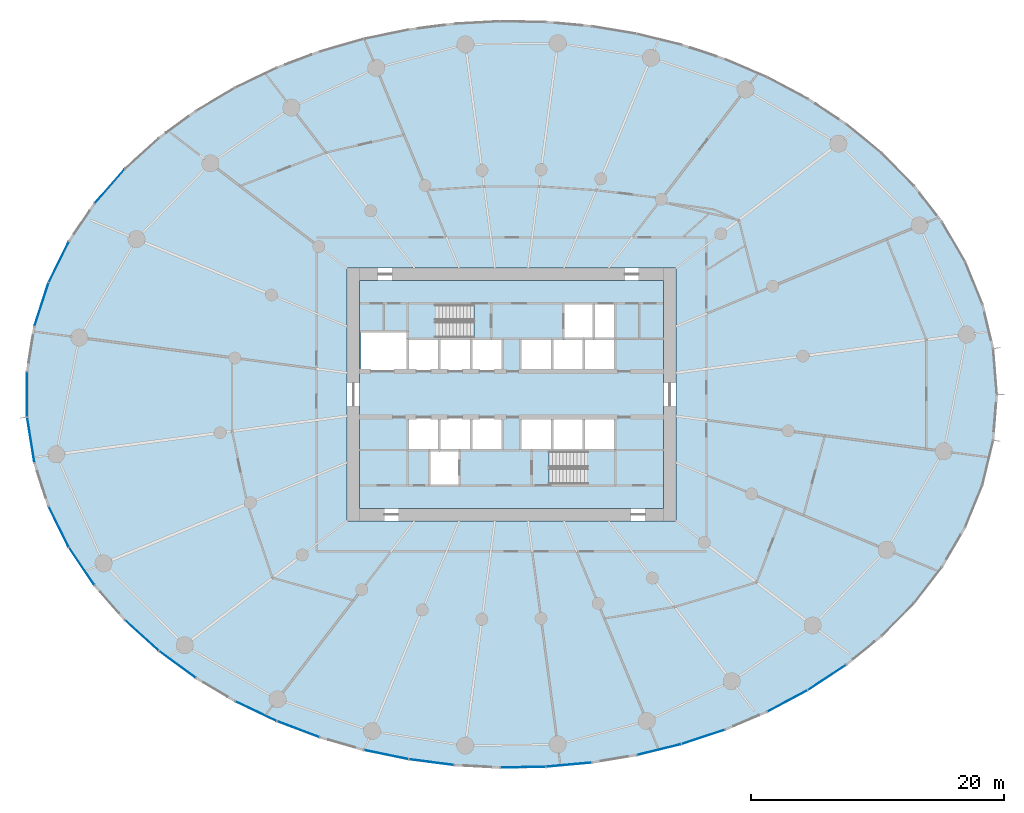
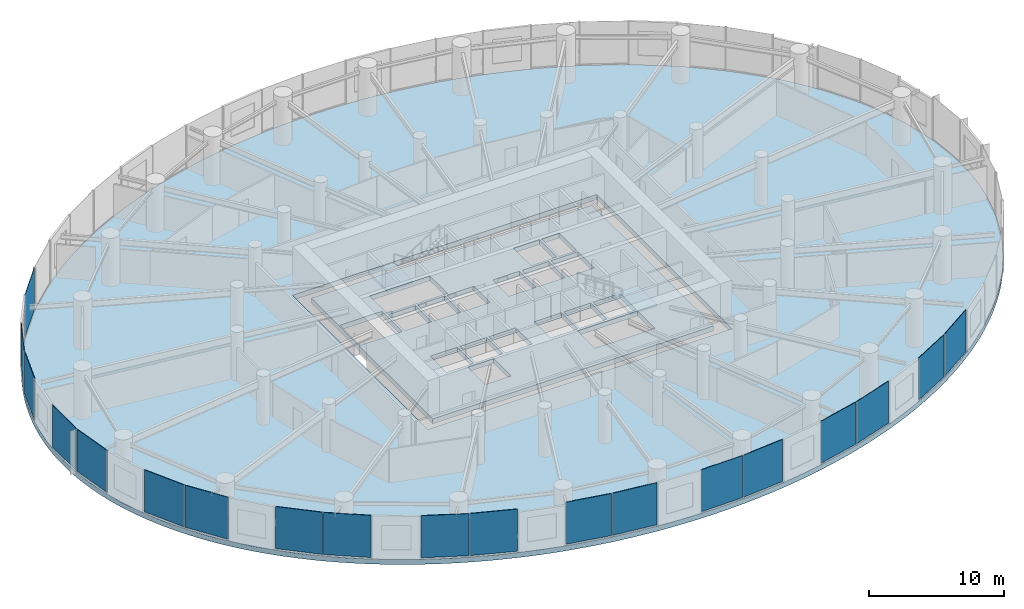
# One storey, part 9 of 19: 19 plates, 4 slabs, 7 elements without a shape of their own.
"""IFC4 building model written with IfcOpenShell, lengths in metres."""

from ifc_helpers import new_model, si_unit, direction, frame, origin, origin_2d, place, context, subcontext, project, spatial, line, indexed_curve, rectangle, outline, extrude, source, transform, mapped, material, layer, layer_set, type_object, element, aggregate, save


model = new_model("IFC4")

# Units and contexts
model_context = context("Model", 3, precision=1e-05, world=origin(), true_north=direction((0.0, 1.0)))
body_context = subcontext(model_context, "Body", "Model", "MODEL_VIEW")
ifc_project = project(units=[si_unit("LENGTHUNIT", "METRE"), si_unit("AREAUNIT", "SQUARE_METRE"), si_unit("VOLUMEUNIT", "CUBIC_METRE"), si_unit("PLANEANGLEUNIT", "RADIAN"), si_unit("MASSUNIT", "GRAM", prefix="KILO")], contexts=[model_context])

# Site, building, storey
site_placement = place(None, origin())
site = spatial("IfcSite", under=ifc_project, at=site_placement, CompositionType="ELEMENT")
building_placement = place(site_placement, origin())
building = spatial("IfcBuilding", under=site, at=building_placement, Name="Spindrift Exchange Tower", CompositionType="ELEMENT")
storey_placement = place(building_placement, frame((0.0, 0.0, 22.60009765625)))
storey = spatial("IfcBuildingStorey", under=building, at=storey_placement, Name="L05", CompositionType="ELEMENT", Elevation=22.60009765625)

# Slabs
ifc_material_1 = material(Name="Concrete 50 MPa", Category="concrete")
ifc_layer_1 = layer(ifc_material_1, 0.449951171875)
ifc_layer_set_1 = layer_set([ifc_layer_1], Name="RC Floor Slab 450 Concrete 50 MPa")
slab_type_1 = type_object("IfcSlabType", Name="RC Floor Slab 450 Concrete 50 MPa", PredefinedType="FLOOR", material=ifc_layer_set_1)
slab_1_placement = place(storey_placement, frame((0.0, 0.0, -0.4501953125)))
element("IfcSlab", 1, at=slab_1_placement, inside=storey, type_object=slab_type_1, Name="Floor slab L05", PredefinedType="FLOOR", context=body_context, shape_type="SweptSolid", body=[
    extrude(outline(indexed_curve([(90.35009765625, 48.0), (90.34228515625, 48.594482421875), (90.31884765625, 49.188720703125), (90.280029296875, 49.781982421875), (90.2255859375, 50.374267578125), (90.15576171875, 50.964599609375), (90.07080078125, 51.55322265625), (89.970703125, 52.139404296875), (89.85546875, 52.72265625), (89.725341796875, 53.302734375), (89.58056640625, 53.87939453125), (89.42138671875, 54.452392578125), (89.248046875, 55.021240234375), (89.060546875, 55.58544921875), (88.859375, 56.14501953125), (88.64453125, 56.699462890625), (88.41650390625, 57.24853515625), (88.175537109375, 57.792236328125), (87.921875, 58.330078125), (87.65576171875, 58.86181640625), (87.377685546875, 59.38720703125), (87.087646484375, 59.906494140625), (86.7861328125, 60.4189453125), (86.473388671875, 60.924560546875), (86.149658203125, 61.42333984375), (85.8154296875, 61.915283203125), (85.470703125, 62.399658203125), (85.1162109375, 62.876953125), (84.751708984375, 63.346923828125), (84.3779296875, 63.809326171875), (83.9951171875, 64.26416015625), (83.60302734375, 64.71142578125), (83.20263671875, 65.15087890625), (82.793701171875, 65.582763671875), (82.376953125, 66.006591796875), (81.9521484375, 66.4228515625), (81.52001953125, 66.8310546875), (81.080322265625, 67.231689453125), (80.6337890625, 67.6240234375), (80.180419921875, 68.0087890625), (79.72021484375, 68.385498046875), (79.25390625, 68.75439453125), (78.78125, 69.115234375), (77.818603515625, 69.813232421875), (77.32861328125, 70.150390625), (76.333251953125, 70.801025390625), (75.318115234375, 71.42041015625), (74.803466796875, 71.71826171875), (74.284423828125, 72.00830078125), (73.23388671875, 72.5654296875), (72.702392578125, 72.83251953125), (71.62841796875, 73.343017578125), (71.086181640625, 73.587158203125), (69.99169921875, 74.052001953125), (68.884765625, 74.48681640625), (68.3271484375, 74.693115234375), (67.20361328125, 75.082763671875), (66.637939453125, 75.2666015625), (65.5, 75.61181640625), (64.927734375, 75.773193359375), (64.353515625, 75.927490234375), (63.19921875, 76.214111328125), (62.038330078125, 76.471435546875), (61.45556640625, 76.58935546875), (60.28564453125, 76.80322265625), (59.698974609375, 76.8994140625), (58.52197265625, 77.0703125), (57.93212890625, 77.14501953125), (56.749755859375, 77.27294921875), (56.157470703125, 77.326171875), (55.564697265625, 77.372314453125), (54.377685546875, 77.443359375), (53.189208984375, 77.48583984375), (52.0, 77.5), (50.810791015625, 77.48583984375), (49.622314453125, 77.443359375), (48.435302734375, 77.372314453125), (47.842529296875, 77.326171875), (47.250244140625, 77.27294921875), (46.06787109375, 77.14501953125), (45.47802734375, 77.0703125), (44.301025390625, 76.8994140625), (43.71435546875, 76.80322265625), (42.54443359375, 76.58935546875), (41.961669921875, 76.471435546875), (40.80078125, 76.214111328125), (39.646484375, 75.927490234375), (39.072265625, 75.773193359375), (38.5, 75.61181640625), (37.362060546875, 75.2666015625), (36.79638671875, 75.082763671875), (35.6728515625, 74.693115234375), (35.115234375, 74.48681640625), (34.00830078125, 74.052001953125), (32.913818359375, 73.587158203125), (32.37158203125, 73.343017578125), (31.297607421875, 72.83251953125), (30.76611328125, 72.5654296875), (29.715576171875, 72.00830078125), (29.196533203125, 71.71826171875), (28.681884765625, 71.42041015625), (27.666748046875, 70.801025390625), (26.67138671875, 70.150390625), (26.181396484375, 69.813232421875), (25.21875, 69.115234375), (24.74609375, 68.75439453125), (24.27978515625, 68.385498046875), (23.819580078125, 68.0087890625), (23.3662109375, 67.6240234375), (22.919677734375, 67.231689453125), (22.47998046875, 66.8310546875), (22.0478515625, 66.4228515625), (21.623046875, 66.006591796875), (21.206298828125, 65.582763671875), (20.79736328125, 65.15087890625), (20.39697265625, 64.71142578125), (20.0048828125, 64.26416015625), (19.6220703125, 63.809326171875), (19.248291015625, 63.346923828125), (18.8837890625, 62.876953125), (18.529296875, 62.399658203125), (18.1845703125, 61.915283203125), (17.850341796875, 61.42333984375), (17.526611328125, 60.924560546875), (17.2138671875, 60.4189453125), (16.912353515625, 59.906494140625), (16.622314453125, 59.38720703125), (16.34423828125, 58.86181640625), (16.078125, 58.330078125), (15.824462890625, 57.792236328125), (15.58349609375, 57.24853515625), (15.35546875, 56.699462890625), (15.140625, 56.14501953125), (14.939453125, 55.58544921875), (14.751953125, 55.021240234375), (14.57861328125, 54.452392578125), (14.41943359375, 53.87939453125), (14.274658203125, 53.302734375), (14.14453125, 52.72265625), (14.029296875, 52.139404296875), (13.92919921875, 51.55322265625), (13.84423828125, 50.964599609375), (13.7744140625, 50.374267578125), (13.719970703125, 49.781982421875), (13.68115234375, 49.188720703125), (13.65771484375, 48.594482421875), (13.64990234375, 48.0), (13.65771484375, 47.405517578125), (13.68115234375, 46.811279296875), (13.719970703125, 46.218017578125), (13.7744140625, 45.625732421875), (13.84423828125, 45.035400390625), (13.92919921875, 44.44677734375), (14.029296875, 43.860595703125), (14.14453125, 43.27734375), (14.274658203125, 42.697265625), (14.41943359375, 42.12060546875), (14.57861328125, 41.547607421875), (14.751953125, 40.978759765625), (14.939453125, 40.41455078125), (15.140625, 39.85498046875), (15.35546875, 39.300537109375), (15.58349609375, 38.75146484375), (15.824462890625, 38.207763671875), (16.078125, 37.669921875), (16.34423828125, 37.13818359375), (16.622314453125, 36.61279296875), (16.912353515625, 36.093505859375), (17.2138671875, 35.5810546875), (17.526611328125, 35.075439453125), (17.850341796875, 34.57666015625), (18.1845703125, 34.084716796875), (18.529296875, 33.600341796875), (18.8837890625, 33.123046875), (19.248291015625, 32.653076171875), (19.6220703125, 32.190673828125), (20.0048828125, 31.73583984375), (20.39697265625, 31.28857421875), (20.79736328125, 30.84912109375), (21.206298828125, 30.417236328125), (21.623046875, 29.993408203125), (22.0478515625, 29.5771484375), (22.47998046875, 29.1689453125), (22.919677734375, 28.768310546875), (23.3662109375, 28.3759765625), (23.819580078125, 27.9912109375), (24.27978515625, 27.614501953125), (24.74609375, 27.24560546875), (25.21875, 26.884765625), (26.181396484375, 26.186767578125), (26.67138671875, 25.849609375), (27.666748046875, 25.198974609375), (28.681884765625, 24.57958984375), (29.196533203125, 24.28173828125), (29.715576171875, 23.99169921875), (30.76611328125, 23.4345703125), (31.297607421875, 23.16748046875), (32.37158203125, 22.656982421875), (32.913818359375, 22.412841796875), (34.00830078125, 21.947998046875), (35.115234375, 21.51318359375), (35.6728515625, 21.306884765625), (36.79638671875, 20.917236328125), (37.362060546875, 20.7333984375), (38.5, 20.38818359375), (39.072265625, 20.226806640625), (39.646484375, 20.072509765625), (40.80078125, 19.785888671875), (41.961669921875, 19.528564453125), (42.54443359375, 19.41064453125), (43.71435546875, 19.19677734375), (44.301025390625, 19.1005859375), (45.47802734375, 18.9296875), (46.06787109375, 18.85498046875), (47.250244140625, 18.72705078125), (47.842529296875, 18.673828125), (48.435302734375, 18.627685546875), (49.622314453125, 18.556640625), (50.810791015625, 18.51416015625), (52.0, 18.5), (53.189208984375, 18.51416015625), (54.377685546875, 18.556640625), (55.564697265625, 18.627685546875), (56.157470703125, 18.673828125), (56.749755859375, 18.72705078125), (57.93212890625, 18.85498046875), (58.52197265625, 18.9296875), (59.698974609375, 19.1005859375), (60.28564453125, 19.19677734375), (61.45556640625, 19.41064453125), (62.038330078125, 19.528564453125), (63.19921875, 19.785888671875), (64.353515625, 20.072509765625), (64.927734375, 20.226806640625), (65.5, 20.38818359375), (66.637939453125, 20.7333984375), (67.20361328125, 20.917236328125), (68.3271484375, 21.306884765625), (68.884765625, 21.51318359375), (69.99169921875, 21.947998046875), (71.086181640625, 22.412841796875), (71.62841796875, 22.656982421875), (72.702392578125, 23.16748046875), (73.23388671875, 23.4345703125), (74.284423828125, 23.99169921875), (74.803466796875, 24.28173828125), (75.318115234375, 24.57958984375), (76.333251953125, 25.198974609375), (77.32861328125, 25.849609375), (77.818603515625, 26.186767578125), (78.78125, 26.884765625), (79.25390625, 27.24560546875), (79.72021484375, 27.614501953125), (80.180419921875, 27.9912109375), (80.6337890625, 28.3759765625), (81.080322265625, 28.768310546875), (81.52001953125, 29.1689453125), (81.9521484375, 29.5771484375), (82.376953125, 29.993408203125), (82.793701171875, 30.417236328125), (83.20263671875, 30.84912109375), (83.60302734375, 31.28857421875), (83.9951171875, 31.73583984375), (84.3779296875, 32.190673828125), (84.751708984375, 32.653076171875), (85.1162109375, 33.123046875), (85.470703125, 33.600341796875), (85.8154296875, 34.084716796875), (86.149658203125, 34.57666015625), (86.473388671875, 35.075439453125), (86.7861328125, 35.5810546875), (87.087646484375, 36.093505859375), (87.377685546875, 36.61279296875), (87.65576171875, 37.13818359375), (87.921875, 37.669921875), (88.175537109375, 38.207763671875), (88.41650390625, 38.75146484375), (88.64453125, 39.300537109375), (88.859375, 39.85498046875), (89.060546875, 40.41455078125), (89.248046875, 40.978759765625), (89.42138671875, 41.547607421875), (89.58056640625, 42.12060546875), (89.725341796875, 42.697265625), (89.85546875, 43.27734375), (89.970703125, 43.860595703125), (90.07080078125, 44.44677734375), (90.15576171875, 45.035400390625), (90.2255859375, 45.625732421875), (90.280029296875, 46.218017578125), (90.31884765625, 46.811279296875), (90.34228515625, 47.405517578125)], segments=[line(1, 2, 3, 4, 5, 6, 7, 8, 9, 10, 11, 12, 13, 14, 15, 16, 17, 18, 19, 20, 21, 22, 23, 24, 25, 26, 27, 28, 29, 30, 31, 32, 33, 34, 35, 36, 37, 38, 39, 40, 41, 42, 43, 44, 45, 46, 47, 48, 49, 50, 51, 52, 53, 54, 55, 56, 57, 58, 59, 60, 61, 62, 63, 64, 65, 66, 67, 68, 69, 70, 71, 72, 73, 74, 75, 76, 77, 78, 79, 80, 81, 82, 83, 84, 85, 86, 87, 88, 89, 90, 91, 92, 93, 94, 95, 96, 97, 98, 99, 100, 101, 102, 103, 104, 105, 106, 107, 108, 109, 110, 111, 112, 113, 114, 115, 116, 117, 118, 119, 120, 121, 122, 123, 124, 125, 126, 127, 128, 129, 130, 131, 132, 133, 134, 135, 136, 137, 138, 139, 140, 141, 142, 143, 144, 145, 146, 147, 148, 149, 150, 151, 152, 153, 154, 155, 156, 157, 158, 159, 160, 161, 162, 163, 164, 165, 166, 167, 168, 169, 170, 171, 172, 173, 174, 175, 176, 177, 178, 179, 180, 181, 182, 183, 184, 185, 186, 187, 188, 189, 190, 191, 192, 193, 194, 195, 196, 197, 198, 199, 200, 201, 202, 203, 204, 205, 206, 207, 208, 209, 210, 211, 212, 213, 214, 215, 216, 217, 218, 219, 220, 221, 222, 223, 224, 225, 226, 227, 228, 229, 230, 231, 232, 233, 234, 235, 236, 237, 238, 239, 240, 241, 242, 243, 244, 245, 246, 247, 248, 249, 250, 251, 252, 253, 254, 255, 256, 257, 258, 259, 260, 261, 262, 263, 264, 265, 266, 267, 268, 269, 270, 271, 272, 273, 274, 275, 276, 277, 278, 279, 280, 281, 282, 283, 284, 285, 286, 287, 288, 289, 290, 291, 292, 1)], self_intersect=False), holes=[indexed_curve([(39.0, 38.0), (65.0, 38.0), (65.0, 58.0), (39.0, 58.0)], segments=[line(1, 2, 3, 4, 1)], self_intersect=False)]), origin(), (0.0, 0.0, 1.0), 0.4501953125),
])
ifc_layer_2 = layer(ifc_material_1, 0.449951171875)
ifc_layer_set_2 = layer_set([ifc_layer_2], Name="SL-CORE-FLOOR-450")
slab_type_2 = type_object("IfcSlabType", Name="SL-CORE-FLOOR-450", PredefinedType="FLOOR", material=ifc_layer_set_2)
slab_2_placement = place(storey_placement, frame((0.0, 0.0, -0.4501953125)))
element("IfcSlab", 2, at=slab_2_placement, inside=storey, type_object=slab_type_2, Name="L05 Core floor slab", PredefinedType="FLOOR", context=body_context, shape_type="SweptSolid", body=[
    extrude(outline(indexed_curve([(40.0, 39.0), (40.0, 57.0), (64.0, 57.0), (64.0, 39.0)], segments=[line(1, 2, 3, 4, 1)], self_intersect=False), holes=[indexed_curve([(47.800048828125, 43.5), (45.60009765625, 43.5), (45.60009765625, 40.89990234375), (47.800048828125, 40.89990234375)], segments=[line(1, 2, 3, 4, 1)], self_intersect=False), indexed_curve([(46.199951171875, 46.10009765625), (43.89990234375, 46.10009765625), (43.89990234375, 43.699951171875), (46.199951171875, 43.699951171875)], segments=[line(1, 2, 3, 4, 1)], self_intersect=False), indexed_curve([(48.699951171875, 46.10009765625), (46.39990234375, 46.10009765625), (46.39990234375, 43.699951171875), (48.699951171875, 43.699951171875)], segments=[line(1, 2, 3, 4, 1)], self_intersect=False), indexed_curve([(51.199951171875, 46.10009765625), (48.89990234375, 46.10009765625), (48.89990234375, 43.699951171875), (51.199951171875, 43.699951171875)], segments=[line(1, 2, 3, 4, 1)], self_intersect=False), indexed_curve([(46.199951171875, 52.300048828125), (43.89990234375, 52.300048828125), (43.89990234375, 49.89990234375), (46.199951171875, 49.89990234375)], segments=[line(1, 2, 3, 4, 1)], self_intersect=False), indexed_curve([(48.699951171875, 52.300048828125), (46.39990234375, 52.300048828125), (46.39990234375, 49.89990234375), (48.699951171875, 49.89990234375)], segments=[line(1, 2, 3, 4, 1)], self_intersect=False), indexed_curve([(51.199951171875, 52.300048828125), (48.89990234375, 52.300048828125), (48.89990234375, 49.89990234375), (51.199951171875, 49.89990234375)], segments=[line(1, 2, 3, 4, 1)], self_intersect=False), indexed_curve([(43.699951171875, 49.89990234375), (43.699951171875, 52.89990234375), (40.10009765625, 52.89990234375), (40.10009765625, 49.89990234375)], segments=[line(1, 2, 3, 4, 1)], self_intersect=False), indexed_curve([(49.0439453125, 55.093994140625), (43.906005859375, 55.093994140625), (43.906005859375, 52.506103515625), (49.0439453125, 52.506103515625)], segments=[line(1, 2, 3, 4, 1)], self_intersect=False), indexed_curve([(60.093994140625, 40.906005859375), (60.093994140625, 43.493896484375), (54.9560546875, 43.493896484375), (54.9560546875, 40.906005859375)], segments=[line(1, 2, 3, 4, 1)], self_intersect=False), indexed_curve([(55.10009765625, 46.10009765625), (52.800048828125, 46.10009765625), (52.800048828125, 43.699951171875), (55.10009765625, 43.699951171875)], segments=[line(1, 2, 3, 4, 1)], self_intersect=False), indexed_curve([(57.60009765625, 46.10009765625), (55.300048828125, 46.10009765625), (55.300048828125, 43.699951171875), (57.60009765625, 43.699951171875)], segments=[line(1, 2, 3, 4, 1)], self_intersect=False), indexed_curve([(60.10009765625, 46.10009765625), (57.800048828125, 46.10009765625), (57.800048828125, 43.699951171875), (60.10009765625, 43.699951171875)], segments=[line(1, 2, 3, 4, 1)], self_intersect=False), indexed_curve([(55.10009765625, 52.300048828125), (52.800048828125, 52.300048828125), (52.800048828125, 49.89990234375), (55.10009765625, 49.89990234375)], segments=[line(1, 2, 3, 4, 1)], self_intersect=False), indexed_curve([(57.60009765625, 52.300048828125), (55.300048828125, 52.300048828125), (55.300048828125, 49.89990234375), (57.60009765625, 49.89990234375)], segments=[line(1, 2, 3, 4, 1)], self_intersect=False), indexed_curve([(60.10009765625, 52.300048828125), (57.800048828125, 52.300048828125), (57.800048828125, 49.89990234375), (60.10009765625, 49.89990234375)], segments=[line(1, 2, 3, 4, 1)], self_intersect=False), indexed_curve([(58.39990234375, 52.5), (58.39990234375, 55.10009765625), (56.199951171875, 55.10009765625), (56.199951171875, 52.5)], segments=[line(1, 2, 3, 4, 1)], self_intersect=False), indexed_curve([(60.10009765625, 52.5), (60.10009765625, 55.10009765625), (58.60009765625, 55.10009765625), (58.60009765625, 52.5)], segments=[line(1, 2, 3, 4, 1)], self_intersect=False)]), origin(), (0.0, 0.0, 1.0), 0.4501953125),
])

# Stair, slab
stair_type = type_object("IfcStairType", Name="ST-1250-R183", PredefinedType="HALF_TURN_STAIR", material=ifc_material_1)
stair_1_placement = place(storey_placement, origin())
stair_1 = element("IfcStair", 3, at=stair_1_placement, inside=storey, type_object=stair_type, Name="L05 Exit stair ST1", PredefinedType="HALF_TURN_STAIR")
ifc_layer_3 = layer(ifc_material_1, 0.199951171875)
ifc_layer_set_3 = layer_set([ifc_layer_3], Name="SL-LANDING")
slab_type_3 = type_object("IfcSlabType", Name="SL-LANDING", PredefinedType="LANDING", material=ifc_layer_set_3)
slab_3_placement = place(storey_placement, frame((0.0, 0.0, 2.0)))
slab_3 = element("IfcSlab", 4, at=slab_3_placement, type_object=slab_type_3, Name="ST1 landing 1", PredefinedType="LANDING", context=body_context, shape_type="SweptSolid", body=[
    extrude(outline(indexed_curve([(46.050048828125, 52.39990234375), (43.800048828125, 52.39990234375), (43.800048828125, 55.199951171875), (46.050048828125, 55.199951171875)], segments=[line(1, 2, 3, 4, 1)], self_intersect=False)), origin(), (0.0, 0.0, 1.0), 0.199951171875),
])
aggregate(stair_1, [slab_3])

stair_2_placement = place(storey_placement, origin())
stair_2 = element("IfcStair", 5, at=stair_2_placement, inside=storey, type_object=stair_type, Name="L05 Exit stair ST2", PredefinedType="HALF_TURN_STAIR")
slab_4_placement = place(storey_placement, frame((0.0, 0.0, 2.0)))
slab_4 = element("IfcSlab", 6, at=slab_4_placement, type_object=slab_type_3, Name="ST2 landing 1", PredefinedType="LANDING", context=body_context, shape_type="SweptSolid", body=[
    extrude(outline(indexed_curve([(57.949951171875, 43.60009765625), (60.199951171875, 43.60009765625), (60.199951171875, 40.800048828125), (57.949951171875, 40.800048828125)], segments=[line(1, 2, 3, 4, 1)], self_intersect=False)), origin(), (0.0, 0.0, 1.0), 0.199951171875),
])
aggregate(stair_2, [slab_4])

# Curtain wall, plate
ifc_material_2 = material(Name="Fritted laminated glass with bronze frame", Category="glass")
ifc_layer_4 = layer(ifc_material_2, 0.199951171875)
ifc_layer_set_4 = layer_set([ifc_layer_4], Name="ZONE 1 BRONZE FRITTED WALL")
curtain_wall_type = type_object("IfcCurtainWallType", Name="ZONE 1 BRONZE FRITTED WALL", PredefinedType="NOTDEFINED", material=ifc_layer_set_4)
curtain_wall_1_placement = place(storey_placement, origin())
curtain_wall_1 = element("IfcCurtainWall", 7, at=curtain_wall_1_placement, inside=storey, type_object=curtain_wall_type, Name="L05 Zone 1 Bronze Fritted Wall run 5", PredefinedType="NOTDEFINED")
ifc_material_3 = material(Name="Bronze tinted laminated glass, light frit", Category="glass")
ifc_layer_5 = layer(ifc_material_3, 0.035888671875)
ifc_layer_set_5 = layer_set([ifc_layer_5], Name="ZONE 1 BRONZE FRITTED WALL PANEL LIGHT FRIT 720")
plate_type_1 = type_object("IfcPlateType", Name="ZONE 1 BRONZE FRITTED WALL PANEL LIGHT FRIT 720", PredefinedType="CURTAIN_PANEL", material=ifc_layer_set_5)
shared_shape_1 = source(origin(), body_context, "Body", "SweptSolid", [
    extrude(rectangle(XDim=3.544921875, YDim=0.035888671875, at=origin_2d()), origin(), (0.0, 0.0, 1.0), 3.800048828125),
])
plate_1_placement = place(storey_placement, frame((14.85400390625, 55.115234375, 0.14990234375), z_axis=(0.0, 0.0, 1.0), x_axis=(-0.307989331953, -0.951389810437, 0.0)))
plate_1 = element("IfcPlate", 8, at=plate_1_placement, type_object=plate_type_1, Name="L05 panel CW-1.28", PredefinedType="CURTAIN_PANEL", context=body_context, shape_type="MappedRepresentation", body=[
    mapped(shared_shape_1, transform((0.0, 0.0, 0.0), scale=1.0)),
])

# Curtain wall, plates
curtain_wall_2_placement = place(storey_placement, origin())
curtain_wall_2 = element("IfcCurtainWall", 9, at=curtain_wall_2_placement, inside=storey, type_object=curtain_wall_type, Name="L05 Zone 1 Bronze Fritted Wall run 8", PredefinedType="NOTDEFINED")
ifc_layer_6 = layer(ifc_material_3, 0.035888671875)
ifc_layer_set_6 = layer_set([ifc_layer_6], Name="ZONE 1 BRONZE FRITTED WALL PANEL LIGHT FRIT 960")
plate_type_2 = type_object("IfcPlateType", Name="ZONE 1 BRONZE FRITTED WALL PANEL LIGHT FRIT 960", PredefinedType="CURTAIN_PANEL", material=ifc_layer_set_6)
shared_shape_2 = source(origin(), body_context, "Body", "SweptSolid", [
    extrude(rectangle(XDim=3.54736328125, YDim=0.035888671875, at=origin_2d()), origin(), (0.0, 0.0, 1.0), 3.800048828125),
])
plate_2_placement = place(storey_placement, frame((52.906494140625, 18.541259765625, 0.14990234375), z_axis=(0.0, 0.0, 1.0), x_axis=(0.999834474509, 0.018194053526, 0.0)))
plate_2 = element("IfcPlate", 10, at=plate_2_placement, type_object=plate_type_2, Name="L05 panel CW-1.45", PredefinedType="CURTAIN_PANEL", context=body_context, shape_type="MappedRepresentation", body=[
    mapped(shared_shape_2, transform((0.0, 0.0, 0.0), scale=1.0)),
])
plate_3_placement = place(storey_placement, frame((56.52587890625, 18.739501953125, 0.14990234375), z_axis=(0.0, 0.0, 1.0), x_axis=(0.995838079649, 0.091140107088, 0.0)))
plate_3 = element("IfcPlate", 11, at=plate_3_placement, type_object=plate_type_2, Name="L05 panel CW-1.46", PredefinedType="CURTAIN_PANEL", context=body_context, shape_type="MappedRepresentation", body=[
    mapped(shared_shape_2, transform((0.0, 0.0, 0.0), scale=1.0)),
])

# Curtain wall, plate
curtain_wall_3_placement = place(storey_placement, origin())
curtain_wall_3 = element("IfcCurtainWall", 12, at=curtain_wall_3_placement, inside=storey, type_object=curtain_wall_type, Name="L05 Zone 1 Bronze Fritted Wall run 7", PredefinedType="NOTDEFINED")
ifc_layer_7 = layer(ifc_material_3, 0.035888671875)
ifc_layer_set_7 = layer_set([ifc_layer_7], Name="ZONE 1 BRONZE FRITTED WALL PANEL LIGHT FRIT 1200")
plate_type_3 = type_object("IfcPlateType", Name="ZONE 1 BRONZE FRITTED WALL PANEL LIGHT FRIT 1200", PredefinedType="CURTAIN_PANEL", material=ifc_layer_set_7)
shared_shape_3 = source(origin(), body_context, "Body", "SweptSolid", [
    extrude(rectangle(XDim=3.54736328125, YDim=0.035888671875, at=origin_2d()), origin(), (0.0, 0.0, 1.0), 3.800048828125),
])
plate_4_placement = place(storey_placement, frame((42.096923828125, 19.53564453125, 0.14990234375), z_axis=(0.0, 0.0, 1.0), x_axis=(0.979461386098, -0.20163182572, 0.0)))
plate_4 = element("IfcPlate", 13, at=plate_4_placement, type_object=plate_type_3, Name="L05 panel CW-1.42", PredefinedType="CURTAIN_PANEL", context=body_context, shape_type="MappedRepresentation", body=[
    mapped(shared_shape_3, transform((0.0, 0.0, 0.0), scale=1.0)),
])

# Plate
plate_5_placement = place(storey_placement, frame((63.671142578125, 19.935302734375, 0.14990234375), z_axis=(0.0, 0.0, 1.0), x_axis=(0.971034278054, 0.238940224416, 0.0)))
plate_5 = element("IfcPlate", 14, at=plate_5_placement, type_object=plate_type_3, Name="L05 panel CW-1.48", PredefinedType="CURTAIN_PANEL", context=body_context, shape_type="MappedRepresentation", body=[
    mapped(shared_shape_3, transform((0.0, 0.0, 0.0), scale=1.0)),
])

# Curtain wall, plate
curtain_wall_4_placement = place(storey_placement, origin())
curtain_wall_4 = element("IfcCurtainWall", 15, at=curtain_wall_4_placement, inside=storey, type_object=curtain_wall_type, Name="L05 Zone 1 Bronze Fritted Wall run 9", PredefinedType="NOTDEFINED")
shared_shape_4 = source(origin(), body_context, "Body", "SweptSolid", [
    extrude(rectangle(XDim=3.546875, YDim=0.035888671875, at=origin_2d()), origin(), (0.0, 0.0, 1.0), 3.800048828125),
])
plate_6_placement = place(storey_placement, frame((76.92724609375, 25.634521484375, 0.14990234375), z_axis=(0.0, 0.0, 1.0), x_axis=(0.834796938874, 0.550557963203, 0.0)))
plate_6 = element("IfcPlate", 16, at=plate_6_placement, type_object=plate_type_3, Name="L05 panel CW-1.52", PredefinedType="CURTAIN_PANEL", context=body_context, shape_type="MappedRepresentation", body=[
    mapped(shared_shape_4, transform((0.0, 0.0, 0.0), scale=1.0)),
])

curtain_wall_5_placement = place(storey_placement, origin())
curtain_wall_5 = element("IfcCurtainWall", 17, at=curtain_wall_5_placement, inside=storey, type_object=curtain_wall_type, Name="L05 Zone 1 Bronze Fritted Wall run 6", PredefinedType="NOTDEFINED")
shared_shape_5 = source(origin(), body_context, "Body", "SweptSolid", [
    extrude(rectangle(XDim=3.54638671875, YDim=0.035888671875, at=origin_2d()), origin(), (0.0, 0.0, 1.0), 3.800048828125),
])
plate_7_placement = place(storey_placement, frame((22.78076171875, 28.960205078125, 0.14990234375), z_axis=(0.0, 0.0, 1.0), x_axis=(0.740315520341, -0.672259570659, 0.0)))
plate_7 = element("IfcPlate", 18, at=plate_7_placement, type_object=plate_type_3, Name="L05 panel CW-1.36", PredefinedType="CURTAIN_PANEL", context=body_context, shape_type="MappedRepresentation", body=[
    mapped(shared_shape_5, transform((0.0, 0.0, 0.0), scale=1.0)),
])

# Plate
shared_shape_6 = source(origin(), body_context, "Body", "SweptSolid", [
    extrude(rectangle(XDim=3.5458984375, YDim=0.035888671875, at=origin_2d()), origin(), (0.0, 0.0, 1.0), 3.800048828125),
])
plate_8_placement = place(storey_placement, frame((20.243896484375, 64.456787109375, 0.14990234375), z_axis=(0.0, 0.0, 1.0), x_axis=(-0.658844405135, -0.752279236602, 0.0)))
plate_8 = element("IfcPlate", 19, at=plate_8_placement, type_object=plate_type_2, Name="L05 panel CW-1.25", PredefinedType="CURTAIN_PANEL", context=body_context, shape_type="MappedRepresentation", body=[
    mapped(shared_shape_6, transform((0.0, 0.0, 0.0), scale=1.0)),
])

shared_shape_7 = source(origin(), body_context, "Body", "SweptSolid", [
    extrude(rectangle(XDim=3.545166015625, YDim=0.035888671875, at=origin_2d()), origin(), (0.0, 0.0, 1.0), 3.800048828125),
])
plate_9_placement = place(storey_placement, frame((16.21533203125, 58.464599609375, 0.14990234375), z_axis=(0.0, 0.0, 1.0), x_axis=(-0.443060238143, -0.896491843452, 0.0)))
plate_9 = element("IfcPlate", 20, at=plate_9_placement, type_object=plate_type_2, Name="L05 panel CW-1.27", PredefinedType="CURTAIN_PANEL", context=body_context, shape_type="MappedRepresentation", body=[
    mapped(shared_shape_7, transform((0.0, 0.0, 0.0), scale=1.0)),
])

plate_10_placement = place(storey_placement, frame((16.21533203125, 37.535400390625, 0.14990234375), z_axis=(0.0, 0.0, 1.0), x_axis=(0.443060238143, -0.896491843452, 0.0)))
plate_10 = element("IfcPlate", 21, at=plate_10_placement, type_object=plate_type_2, Name="L05 panel CW-1.33", PredefinedType="CURTAIN_PANEL", context=body_context, shape_type="MappedRepresentation", body=[
    mapped(shared_shape_7, transform((0.0, 0.0, 0.0), scale=1.0)),
])

shared_shape_8 = source(origin(), body_context, "Body", "SweptSolid", [
    extrude(rectangle(XDim=3.54443359375, YDim=0.035888671875, at=origin_2d()), origin(), (0.0, 0.0, 1.0), 3.800048828125),
])
plate_11_placement = place(storey_placement, frame((13.722412109375, 48.0, 0.14990234375), z_axis=(0.0, 0.0, 1.0), x_axis=(0.0, -1.0, 0.0)))
plate_11 = element("IfcPlate", 22, at=plate_11_placement, type_object=plate_type_1, Name="L05 panel CW-1.30", PredefinedType="CURTAIN_PANEL", context=body_context, shape_type="MappedRepresentation", body=[
    mapped(shared_shape_8, transform((0.0, 0.0, 0.0), scale=1.0)),
])

aggregate(curtain_wall_1, [plate_8, plate_9, plate_1, plate_11])

plate_12_placement = place(storey_placement, frame((14.009033203125, 44.3984375, 0.14990234375), z_axis=(0.0, 0.0, 1.0), x_axis=(0.158202874509, -0.987406628749, 0.0)))
plate_12 = element("IfcPlate", 23, at=plate_12_placement, type_object=plate_type_1, Name="L05 panel CW-1.31", PredefinedType="CURTAIN_PANEL", context=body_context, shape_type="MappedRepresentation", body=[
    mapped(shared_shape_8, transform((0.0, 0.0, 0.0), scale=1.0)),
])

shared_shape_9 = source(origin(), body_context, "Body", "SweptSolid", [
    extrude(rectangle(XDim=3.545654296875, YDim=0.035888671875, at=origin_2d()), origin(), (0.0, 0.0, 1.0), 3.800048828125),
])
plate_13_placement = place(storey_placement, frame((18.033935546875, 34.40869140625, 0.14990234375), z_axis=(0.0, 0.0, 1.0), x_axis=(0.560174985227, -0.828374303033, 0.0)))
plate_13 = element("IfcPlate", 24, at=plate_13_placement, type_object=plate_type_1, Name="L05 panel CW-1.34", PredefinedType="CURTAIN_PANEL", context=body_context, shape_type="MappedRepresentation", body=[
    mapped(shared_shape_9, transform((0.0, 0.0, 0.0), scale=1.0)),
])

aggregate(curtain_wall_5, [plate_12, plate_10, plate_13, plate_7])

shared_shape_10 = source(origin(), body_context, "Body", "SweptSolid", [
    extrude(rectangle(XDim=3.546630859375, YDim=0.035888671875, at=origin_2d()), origin(), (0.0, 0.0, 1.0), 3.800048828125),
])
plate_14_placement = place(storey_placement, frame((25.585693359375, 26.669677734375, 0.14990234375), z_axis=(0.0, 0.0, 1.0), x_axis=(0.806640645628, -0.591042188698, 0.0)))
plate_14 = element("IfcPlate", 25, at=plate_14_placement, type_object=plate_type_1, Name="L05 panel CW-1.37", PredefinedType="CURTAIN_PANEL", context=body_context, shape_type="MappedRepresentation", body=[
    mapped(shared_shape_10, transform((0.0, 0.0, 0.0), scale=1.0)),
])

shared_shape_11 = source(origin(), body_context, "Body", "SweptSolid", [
    extrude(rectangle(XDim=3.547119140625, YDim=0.035888671875, at=origin_2d()), origin(), (0.0, 0.0, 1.0), 3.800048828125),
])
plate_15_placement = place(storey_placement, frame((31.80419921875, 22.9658203125, 0.14990234375), z_axis=(0.0, 0.0, 1.0), x_axis=(0.902455253843, -0.43078360555, 0.0)))
plate_15 = element("IfcPlate", 26, at=plate_15_placement, type_object=plate_type_2, Name="L05 panel CW-1.39", PredefinedType="CURTAIN_PANEL", context=body_context, shape_type="MappedRepresentation", body=[
    mapped(shared_shape_11, transform((0.0, 0.0, 0.0), scale=1.0)),
])

plate_16_placement = place(storey_placement, frame((35.1376953125, 21.54443359375, 0.14990234375), z_axis=(0.0, 0.0, 1.0), x_axis=(0.935663477322, -0.352893549398, 0.0)))
plate_16 = element("IfcPlate", 27, at=plate_16_placement, type_object=plate_type_2, Name="L05 panel CW-1.40", PredefinedType="CURTAIN_PANEL", context=body_context, shape_type="MappedRepresentation", body=[
    mapped(shared_shape_11, transform((0.0, 0.0, 0.0), scale=1.0)),
])

aggregate(curtain_wall_3, [plate_14, plate_15, plate_16, plate_4])

shared_shape_12 = source(origin(), body_context, "Body", "SweptSolid", [
    extrude(rectangle(XDim=3.54736328125, YDim=0.035888671875, at=origin_2d()), origin(), (0.0, 0.0, 1.0), 3.800048828125),
])
plate_17_placement = place(storey_placement, frame((45.672119140625, 18.938232421875, 0.14990234375), z_axis=(0.0, 0.0, 1.0), x_axis=(0.991799025411, -0.127807250158, 0.0)))
plate_17 = element("IfcPlate", 28, at=plate_17_placement, type_object=plate_type_1, Name="L05 panel CW-1.43", PredefinedType="CURTAIN_PANEL", context=body_context, shape_type="MappedRepresentation", body=[
    mapped(shared_shape_12, transform((0.0, 0.0, 0.0), scale=1.0)),
])

aggregate(curtain_wall_2, [plate_17, plate_2, plate_3, plate_5])

plate_18_placement = place(storey_placement, frame((67.15380859375, 20.939208984375, 0.14990234375), z_axis=(0.0, 0.0, 1.0), x_axis=(0.949246669379, 0.314532606692, 0.0)))
plate_18 = element("IfcPlate", 29, at=plate_18_placement, type_object=plate_type_1, Name="L05 panel CW-1.49", PredefinedType="CURTAIN_PANEL", context=body_context, shape_type="MappedRepresentation", body=[
    mapped(shared_shape_12, transform((0.0, 0.0, 0.0), scale=1.0)),
])

shared_shape_13 = source(origin(), body_context, "Body", "SweptSolid", [
    extrude(rectangle(XDim=3.546875, YDim=0.035888671875, at=origin_2d()), origin(), (0.0, 0.0, 1.0), 3.800048828125),
])
plate_19_placement = place(storey_placement, frame((73.813232421875, 23.782958984375, 0.14990234375), z_axis=(0.0, 0.0, 1.0), x_axis=(0.88248339165, 0.470343558967, 0.0)))
plate_19 = element("IfcPlate", 30, at=plate_19_placement, type_object=plate_type_1, Name="L05 panel CW-1.51", PredefinedType="CURTAIN_PANEL", context=body_context, shape_type="MappedRepresentation", body=[
    mapped(shared_shape_13, transform((0.0, 0.0, 0.0), scale=1.0)),
])

aggregate(curtain_wall_4, [plate_18, plate_19, plate_6])

save(model, "model.ifc")
